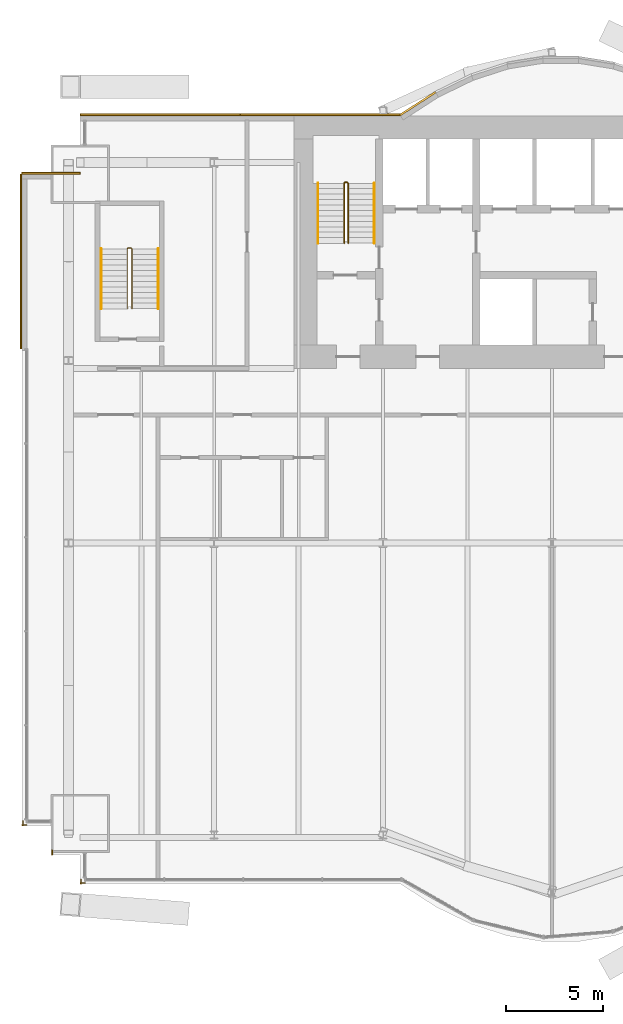
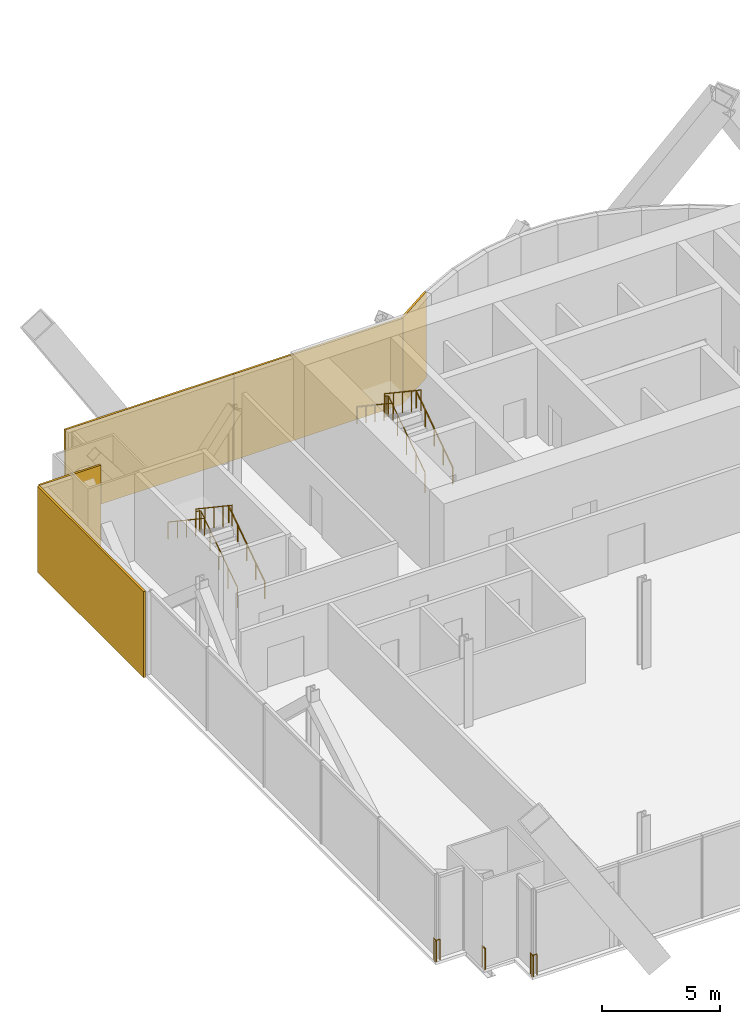
# One storey, part 19 of 21: 9 railings, 5 coverings.
"""IFC4 building model written with IfcOpenShell, lengths in metres."""

from ifc_helpers import new_model, si_unit, direction, frame, origin, origin_2d, place, context, subcontext, project, spatial, rectangle, circle, extrude, material, layer, layer_set, type_object, element, save


model = new_model("IFC4")

# Units and contexts
model_context = context("Model", 3, precision=1e-05, world=origin(), true_north=direction((0.0, 1.0)))
body_context = subcontext(model_context, "Body", "Model", "MODEL_VIEW")
ifc_project = project(units=[si_unit("LENGTHUNIT", "METRE"), si_unit("AREAUNIT", "SQUARE_METRE"), si_unit("VOLUMEUNIT", "CUBIC_METRE"), si_unit("PLANEANGLEUNIT", "RADIAN"), si_unit("MASSUNIT", "GRAM", prefix="KILO")], contexts=[model_context])

# Site, building, storey
site_placement = place(None, origin())
site = spatial("IfcSite", under=ifc_project, at=site_placement, CompositionType="ELEMENT")
building_placement = place(site_placement, origin())
building = spatial("IfcBuilding", under=site, at=building_placement, Name="Bicima Exchange Tower", CompositionType="ELEMENT")
storey_placement = place(building_placement, frame((0.0, 0.0, 80.0)))
storey = spatial("IfcBuildingStorey", under=building, at=storey_placement, Name="L16", CompositionType="ELEMENT", Elevation=80.0)

# Coverings
ifc_material_1 = material(Name="Bronze metal cladding")
ifc_layer_1 = layer(ifc_material_1, 0.004)
ifc_material_2 = material(Name="Ventilated cavity")
ifc_layer_2 = layer(ifc_material_2, 0.06)
ifc_material_3 = material(Name="Galvanised steel rail and mineral wool", Category="steel")
ifc_layer_3 = layer(ifc_material_3, 0.036)
ifc_layer_set = layer_set([ifc_layer_1, ifc_layer_2, ifc_layer_3], Name="Ventilated cavity")
covering_type = type_object("IfcCoveringType", Name="Bronze metal cladding panel 100", PredefinedType="CLADDING", material=ifc_layer_set)
covering_1_placement = place(storey_placement, frame((-15.610595703125, 0.634521484375, -0.14990234375), z_axis=(0.0, 0.0, 1.0), x_axis=(-0.839790466384, -0.542910648791, 0.0)))
element("IfcCovering", 1, at=covering_1_placement, inside=storey, type_object=covering_type, Name="Bronze cladding L16 19.1", PredefinedType="CLADDING", context=body_context, shape_type="SweptSolid", body=[
    extrude(rectangle(XDim=2.18310546875, YDim=0.10009765625, at=origin_2d()), origin(), (0.0, 0.0, 1.0), 4.449951171875),
])
for number, where, z_axis, x_axis, name in (
    (2, (-20.625, 0.050048828125, -0.14990234375), (0.0, 0.0, 1.0), (-1.0, 0.0, 0.0), "Bronze cladding L16 20.1"),
    (3, (-28.875, 0.050048828125, -0.14990234375), (0.0, 0.0, 1.0), (-1.0, 0.0, 0.0), "Bronze cladding L16 20.2"),
):
    element("IfcCovering", number, at=place(storey_placement, frame(where, z_axis=z_axis, x_axis=x_axis)), inside=storey, type_object=covering_type, Name=name, PredefinedType="CLADDING", context=body_context, shape_type="SweptSolid", body=[
        extrude(rectangle(XDim=8.25, YDim=0.10009765625, at=origin_2d()), origin(), (0.0, 0.0, 1.0), 4.449951171875),
    ])
covering_2_placement = place(storey_placement, frame((-34.5, -2.949951171875, -0.14990234375), z_axis=(0.0, 0.0, 1.0), x_axis=(-1.0, 0.0, 0.0)))
element("IfcCovering", 4, at=covering_2_placement, inside=storey, type_object=covering_type, Name="Bronze cladding L16 22.1", PredefinedType="CLADDING", context=body_context, shape_type="SweptSolid", body=[
    extrude(rectangle(XDim=3.0, YDim=0.10009765625, at=origin_2d()), origin(), (0.0, 0.0, 1.0), 4.449951171875),
])
covering_3_placement = place(storey_placement, frame((-36.050048828125, -7.5, -0.14990234375), z_axis=(0.0, 0.0, 1.0), x_axis=(0.0, -1.0, 0.0)))
element("IfcCovering", 5, at=covering_3_placement, inside=storey, type_object=covering_type, Name="Bronze cladding L16 23.1", PredefinedType="CLADDING", context=body_context, shape_type="SweptSolid", body=[
    extrude(rectangle(XDim=9.0, YDim=0.10009765625, at=origin_2d()), origin(), (0.0, 0.0, 1.0), 4.449951171875),
])

# Railings
ifc_material_4 = material(Name="Stainless steel and bonded safety glass", Category="steel")
railing_type_1 = type_object("IfcRailingType", Name="Edge guard 1100", PredefinedType="GUARDRAIL", material=ifc_material_4)
railing_1_placement = place(storey_placement, frame((-35.75, -36.510009765625, 0.0)))
element("IfcRailing", 6, at=railing_1_placement, inside=storey, type_object=railing_type_1, Name="Edge guard L16 75", PredefinedType="GUARDRAIL", context=body_context, shape_type="SweptSolid", body=[
    extrude(circle(Radius=0.02392578125, at=origin_2d()), frame((0.0, 0.0, 1.076171875), z_axis=(-1.0, 0.0, 0.0), x_axis=(0.0, -1.0, 0.0)), (0.0, 0.0, 1.0), 0.25),
    extrude(circle(Radius=0.02392578125, at=origin_2d()), frame((-0.25, 0.0, 1.076171875), z_axis=(0.707106781187, -0.707106781187, 0.0), x_axis=(0.707106781187, 0.707106781187, 0.0)), (0.0, 0.0, 1.0), 0.07080078125),
    extrude(circle(Radius=0.02392578125, at=origin_2d()), frame((-0.199951171875, -0.050048828125, 1.076171875), z_axis=(0.0, 1.0, 0.0), x_axis=(-1.0, 0.0, 0.0)), (0.0, 0.0, 1.0), 0.2490234375),
    extrude(circle(Radius=0.02099609375, at=origin_2d()), origin(), (0.0, 0.0, 1.0), 1.052001953125),
    extrude(circle(Radius=0.02099609375, at=origin_2d()), frame((-0.25, 0.0, 0.0)), (0.0, 0.0, 1.0), 1.052001953125),
    extrude(circle(Radius=0.02099609375, at=origin_2d()), frame((-0.199951171875, -0.050048828125, 0.0)), (0.0, 0.0, 1.0), 1.052001953125),
    extrude(circle(Radius=0.02099609375, at=origin_2d()), frame((-0.199951171875, 0.198974609375, 0.0)), (0.0, 0.0, 1.0), 1.052001953125),
])
railing_2_placement = place(storey_placement, frame((-32.75, -39.510009765625, 0.0)))
element("IfcRailing", 7, at=railing_2_placement, inside=storey, type_object=railing_type_1, Name="Edge guard L16 79", PredefinedType="GUARDRAIL", context=body_context, shape_type="SweptSolid", body=[
    extrude(circle(Radius=0.02392578125, at=origin_2d()), frame((0.0, 0.0, 1.076171875), z_axis=(-1.0, 0.0, 0.0), x_axis=(0.0, -1.0, 0.0)), (0.0, 0.0, 1.0), 0.25),
    extrude(circle(Radius=0.02392578125, at=origin_2d()), frame((-0.25, 0.0, 1.076171875), z_axis=(0.707106781187, -0.707106781187, 0.0), x_axis=(0.707106781187, 0.707106781187, 0.0)), (0.0, 0.0, 1.0), 0.07080078125),
    extrude(circle(Radius=0.02392578125, at=origin_2d()), frame((-0.199951171875, -0.050048828125, 1.076171875), z_axis=(0.0, 1.0, 0.0), x_axis=(-1.0, 0.0, 0.0)), (0.0, 0.0, 1.0), 0.25),
    extrude(circle(Radius=0.02099609375, at=origin_2d()), origin(), (0.0, 0.0, 1.0), 1.052001953125),
    extrude(circle(Radius=0.02099609375, at=origin_2d()), frame((-0.25, 0.0, 0.0)), (0.0, 0.0, 1.0), 1.052001953125),
    extrude(circle(Radius=0.02099609375, at=origin_2d()), frame((-0.199951171875, -0.050048828125, 0.0)), (0.0, 0.0, 1.0), 1.052001953125),
    extrude(circle(Radius=0.02099609375, at=origin_2d()), frame((-0.199951171875, 0.199951171875, 0.0)), (0.0, 0.0, 1.0), 1.052001953125),
])
railing_3_placement = place(storey_placement, frame((-34.449951171875, -38.06005859375, 0.0)))
element("IfcRailing", 8, at=railing_3_placement, inside=storey, type_object=railing_type_1, Name="Edge guard L16 80", PredefinedType="GUARDRAIL", context=body_context, shape_type="SweptSolid", body=[
    extrude(circle(Radius=0.02392578125, at=origin_2d()), frame((0.0, 0.0, 1.076171875), z_axis=(0.0, 1.0, 0.0), x_axis=(-1.0, 0.0, 0.0)), (0.0, 0.0, 1.0), 0.25),
    extrude(circle(Radius=0.02099609375, at=origin_2d()), origin(), (0.0, 0.0, 1.0), 1.052001953125),
    extrude(circle(Radius=0.02099609375, at=origin_2d()), frame((0.0, 0.25, 0.0)), (0.0, 0.0, 1.0), 1.052001953125),
])
ifc_material_5 = material(Name="Stainless steel", Category="steel")
railing_type_2 = type_object("IfcRailingType", Name="Stair guard 1100", PredefinedType="GUARDRAIL", material=ifc_material_5)
railing_4_placement = place(storey_placement, frame((-19.199951171875, -6.550048828125, 0.1875)))
element("IfcRailing", 9, at=railing_4_placement, inside=storey, type_object=railing_type_2, Name="L16 ST-W stair guard 1", PredefinedType="GUARDRAIL", context=body_context, shape_type="SweptSolid", body=[
    extrude(circle(Radius=0.02392578125, at=origin_2d()), frame((0.0, 0.0, 1.076171875), z_axis=(0.0, 0.830913701846, 0.55640131208), x_axis=(-1.0, 0.0, 0.0)), (0.0, 0.0, 1.0), 3.706787109375),
    extrude(circle(Radius=0.02392578125, at=origin_2d()), frame((0.0, 3.080078125, 3.138671875), z_axis=(-0.707106781187, 0.707106781187, 0.0), x_axis=(-0.707106781187, -0.707106781187, 0.0)), (0.0, 0.0, 1.0), 0.07080078125),
    extrude(circle(Radius=0.02392578125, at=origin_2d()), frame((-0.050048828125, 3.130126953125, 3.138671875), z_axis=(-1.0, 0.0, 0.0), x_axis=(0.0, -1.0, 0.0)), (0.0, 0.0, 1.0), 0.10009765625),
    extrude(circle(Radius=0.02392578125, at=origin_2d()), frame((-0.150146484375, 3.130126953125, 3.138671875), z_axis=(-0.248583702486, -0.249802250048, 0.935844527007), x_axis=(0.708833529934, -0.705375805398, 0.0)), (0.0, 0.0, 1.0), 0.200439453125),
    extrude(circle(Radius=0.02392578125, at=origin_2d()), frame((-0.199951171875, 3.080078125, 3.326171875), z_axis=(0.0, -0.830913701846, 0.55640131208), x_axis=(1.0, 0.0, 0.0)), (0.0, 0.0, 1.0), 3.706787109375),
    extrude(circle(Radius=0.02099609375, at=origin_2d()), origin(), (0.0, 0.0, 1.0), 1.052001953125),
    extrude(circle(Radius=0.02099609375, at=origin_2d()), frame((0.0, 0.77001953125, 0.515625)), (0.0, 0.0, 1.0), 1.052001953125),
    extrude(circle(Radius=0.02099609375, at=origin_2d()), frame((0.0, 1.5400390625, 1.03125)), (0.0, 0.0, 1.0), 1.052001953125),
    extrude(circle(Radius=0.02099609375, at=origin_2d()), frame((0.0, 2.31005859375, 1.546875)), (0.0, 0.0, 1.0), 1.052001953125),
    extrude(circle(Radius=0.02099609375, at=origin_2d()), frame((0.0, 3.080078125, 2.0625)), (0.0, 0.0, 1.0), 1.052001953125),
    extrude(circle(Radius=0.02099609375, at=origin_2d()), frame((-0.050048828125, 3.130126953125, 2.0625)), (0.0, 0.0, 1.0), 1.052001953125),
    extrude(circle(Radius=0.02099609375, at=origin_2d()), frame((-0.150146484375, 3.130126953125, 2.0625)), (0.0, 0.0, 1.0), 1.052001953125),
    extrude(circle(Radius=0.02099609375, at=origin_2d()), frame((-0.199951171875, 3.080078125, 2.25)), (0.0, 0.0, 1.0), 1.052001953125),
    extrude(circle(Radius=0.02099609375, at=origin_2d()), frame((-0.199951171875, 2.31005859375, 2.765625)), (0.0, 0.0, 1.0), 1.052001953125),
    extrude(circle(Radius=0.02099609375, at=origin_2d()), frame((-0.199951171875, 1.5400390625, 3.28125)), (0.0, 0.0, 1.0), 1.052001953125),
    extrude(circle(Radius=0.02099609375, at=origin_2d()), frame((-0.199951171875, 0.77001953125, 3.796875)), (0.0, 0.0, 1.0), 1.052001953125),
    extrude(circle(Radius=0.02099609375, at=origin_2d()), frame((-0.199951171875, 0.0, 4.3125)), (0.0, 0.0, 1.0), 1.052001953125),
])
railing_5_placement = place(storey_placement, frame((-30.324951171875, -9.925048828125, 0.1875)))
element("IfcRailing", 10, at=railing_5_placement, inside=storey, type_object=railing_type_2, Name="L16 ST-WW stair guard 1", PredefinedType="GUARDRAIL", context=body_context, shape_type="SweptSolid", body=[
    extrude(circle(Radius=0.02392578125, at=origin_2d()), frame((0.0, 0.0, 1.076171875), z_axis=(0.0, 0.830913701846, 0.55640131208), x_axis=(-1.0, 0.0, 0.0)), (0.0, 0.0, 1.0), 3.706787109375),
    extrude(circle(Radius=0.02392578125, at=origin_2d()), frame((0.0, 3.080078125, 3.138671875), z_axis=(-0.707106781187, 0.707106781187, 0.0), x_axis=(-0.707106781187, -0.707106781187, 0.0)), (0.0, 0.0, 1.0), 0.07080078125),
    extrude(circle(Radius=0.02392578125, at=origin_2d()), frame((-0.050048828125, 3.130126953125, 3.138671875), z_axis=(-1.0, 0.0, 0.0), x_axis=(0.0, -1.0, 0.0)), (0.0, 0.0, 1.0), 0.14990234375),
    extrude(circle(Radius=0.02392578125, at=origin_2d()), frame((-0.199951171875, 3.130126953125, 3.138671875), z_axis=(-0.249726431254, -0.249726431254, 0.935560483917), x_axis=(0.707106781187, -0.707106781187, 0.0)), (0.0, 0.0, 1.0), 0.200439453125),
    extrude(circle(Radius=0.02392578125, at=origin_2d()), frame((-0.25, 3.080078125, 3.326171875), z_axis=(0.0, -0.830913701846, 0.55640131208), x_axis=(1.0, 0.0, 0.0)), (0.0, 0.0, 1.0), 3.706787109375),
    extrude(circle(Radius=0.02099609375, at=origin_2d()), origin(), (0.0, 0.0, 1.0), 1.052001953125),
    extrude(circle(Radius=0.02099609375, at=origin_2d()), frame((0.0, 0.77001953125, 0.515625)), (0.0, 0.0, 1.0), 1.052001953125),
    extrude(circle(Radius=0.02099609375, at=origin_2d()), frame((0.0, 1.5400390625, 1.03125)), (0.0, 0.0, 1.0), 1.052001953125),
    extrude(circle(Radius=0.02099609375, at=origin_2d()), frame((0.0, 2.31005859375, 1.546875)), (0.0, 0.0, 1.0), 1.052001953125),
    extrude(circle(Radius=0.02099609375, at=origin_2d()), frame((0.0, 3.080078125, 2.0625)), (0.0, 0.0, 1.0), 1.052001953125),
    extrude(circle(Radius=0.02099609375, at=origin_2d()), frame((-0.050048828125, 3.130126953125, 2.0625)), (0.0, 0.0, 1.0), 1.052001953125),
    extrude(circle(Radius=0.02099609375, at=origin_2d()), frame((-0.199951171875, 3.130126953125, 2.0625)), (0.0, 0.0, 1.0), 1.052001953125),
    extrude(circle(Radius=0.02099609375, at=origin_2d()), frame((-0.25, 3.080078125, 2.25)), (0.0, 0.0, 1.0), 1.052001953125),
    extrude(circle(Radius=0.02099609375, at=origin_2d()), frame((-0.25, 2.31005859375, 2.765625)), (0.0, 0.0, 1.0), 1.052001953125),
    extrude(circle(Radius=0.02099609375, at=origin_2d()), frame((-0.25, 1.5400390625, 3.28125)), (0.0, 0.0, 1.0), 1.052001953125),
    extrude(circle(Radius=0.02099609375, at=origin_2d()), frame((-0.25, 0.77001953125, 3.796875)), (0.0, 0.0, 1.0), 1.052001953125),
    extrude(circle(Radius=0.02099609375, at=origin_2d()), frame((-0.25, 0.0, 4.3125)), (0.0, 0.0, 1.0), 1.052001953125),
])
railing_type_3 = type_object("IfcRailingType", Name="Stair handrail 900", PredefinedType="HANDRAIL", material=ifc_material_5)
railing_6_placement = place(storey_placement, frame((-17.85009765625, -6.550048828125, 0.1875)))
element("IfcRailing", 11, at=railing_6_placement, inside=storey, type_object=railing_type_3, Name="L16 ST-W stair handrail 1", PredefinedType="HANDRAIL", context=body_context, shape_type="SweptSolid", body=[
    extrude(circle(Radius=0.02392578125, at=origin_2d()), frame((0.0, 0.0, 0.8759765625), z_axis=(0.0, 0.830913701846, 0.55640131208), x_axis=(-1.0, 0.0, 0.0)), (0.0, 0.0, 1.0), 3.706787109375),
    extrude(circle(Radius=0.02099609375, at=origin_2d()), origin(), (0.0, 0.0, 1.0), 0.851806640625),
    extrude(circle(Radius=0.02099609375, at=origin_2d()), frame((0.0, 0.77001953125, 0.515625)), (0.0, 0.0, 1.0), 0.851806640625),
    extrude(circle(Radius=0.02099609375, at=origin_2d()), frame((0.0, 1.5400390625, 1.03125)), (0.0, 0.0, 1.0), 0.851806640625),
    extrude(circle(Radius=0.02099609375, at=origin_2d()), frame((0.0, 2.31005859375, 1.546875)), (0.0, 0.0, 1.0), 0.851806640625),
    extrude(circle(Radius=0.02099609375, at=origin_2d()), frame((0.0, 3.080078125, 2.0625)), (0.0, 0.0, 1.0), 0.851806640625),
])
railing_7_placement = place(storey_placement, frame((-20.75, -3.469970703125, 2.4375)))
element("IfcRailing", 12, at=railing_7_placement, inside=storey, type_object=railing_type_3, Name="L16 ST-W stair handrail 2", PredefinedType="HANDRAIL", context=body_context, shape_type="SweptSolid", body=[
    extrude(circle(Radius=0.02392578125, at=origin_2d()), frame((0.0, 0.0, 0.8759765625), z_axis=(0.0, -0.830913701846, 0.55640131208), x_axis=(1.0, 0.0, 0.0)), (0.0, 0.0, 1.0), 3.706787109375),
    extrude(circle(Radius=0.02099609375, at=origin_2d()), origin(), (0.0, 0.0, 1.0), 0.851806640625),
    extrude(circle(Radius=0.02099609375, at=origin_2d()), frame((0.0, -0.77001953125, 0.515625)), (0.0, 0.0, 1.0), 0.851806640625),
    extrude(circle(Radius=0.02099609375, at=origin_2d()), frame((0.0, -1.5400390625, 1.03125)), (0.0, 0.0, 1.0), 0.851806640625),
    extrude(circle(Radius=0.02099609375, at=origin_2d()), frame((0.0, -2.31005859375, 1.546875)), (0.0, 0.0, 1.0), 0.851806640625),
    extrude(circle(Radius=0.02099609375, at=origin_2d()), frame((0.0, -3.080078125, 2.0625)), (0.0, 0.0, 1.0), 0.851806640625),
])
railing_8_placement = place(storey_placement, frame((-28.97509765625, -9.925048828125, 0.1875)))
element("IfcRailing", 13, at=railing_8_placement, inside=storey, type_object=railing_type_3, Name="L16 ST-WW stair handrail 1", PredefinedType="HANDRAIL", context=body_context, shape_type="SweptSolid", body=[
    extrude(circle(Radius=0.02392578125, at=origin_2d()), frame((0.0, 0.0, 0.8759765625), z_axis=(0.0, 0.830913701846, 0.55640131208), x_axis=(-1.0, 0.0, 0.0)), (0.0, 0.0, 1.0), 3.706787109375),
    extrude(circle(Radius=0.02099609375, at=origin_2d()), origin(), (0.0, 0.0, 1.0), 0.851806640625),
    extrude(circle(Radius=0.02099609375, at=origin_2d()), frame((0.0, 0.77001953125, 0.515625)), (0.0, 0.0, 1.0), 0.851806640625),
    extrude(circle(Radius=0.02099609375, at=origin_2d()), frame((0.0, 1.5400390625, 1.03125)), (0.0, 0.0, 1.0), 0.851806640625),
    extrude(circle(Radius=0.02099609375, at=origin_2d()), frame((0.0, 2.31005859375, 1.546875)), (0.0, 0.0, 1.0), 0.851806640625),
    extrude(circle(Radius=0.02099609375, at=origin_2d()), frame((0.0, 3.080078125, 2.0625)), (0.0, 0.0, 1.0), 0.851806640625),
])
railing_9_placement = place(storey_placement, frame((-31.925048828125, -6.844970703125, 2.4375)))
element("IfcRailing", 14, at=railing_9_placement, inside=storey, type_object=railing_type_3, Name="L16 ST-WW stair handrail 2", PredefinedType="HANDRAIL", context=body_context, shape_type="SweptSolid", body=[
    extrude(circle(Radius=0.02392578125, at=origin_2d()), frame((0.0, 0.0, 0.8759765625), z_axis=(0.0, -0.830913701846, 0.55640131208), x_axis=(1.0, 0.0, 0.0)), (0.0, 0.0, 1.0), 3.706787109375),
    extrude(circle(Radius=0.02099609375, at=origin_2d()), origin(), (0.0, 0.0, 1.0), 0.851806640625),
    extrude(circle(Radius=0.02099609375, at=origin_2d()), frame((0.0, -0.77001953125, 0.515625)), (0.0, 0.0, 1.0), 0.851806640625),
    extrude(circle(Radius=0.02099609375, at=origin_2d()), frame((0.0, -1.5400390625, 1.03125)), (0.0, 0.0, 1.0), 0.851806640625),
    extrude(circle(Radius=0.02099609375, at=origin_2d()), frame((0.0, -2.31005859375, 1.546875)), (0.0, 0.0, 1.0), 0.851806640625),
    extrude(circle(Radius=0.02099609375, at=origin_2d()), frame((0.0, -3.080078125, 2.0625)), (0.0, 0.0, 1.0), 0.851806640625),
])

save(model, "model.ifc")
